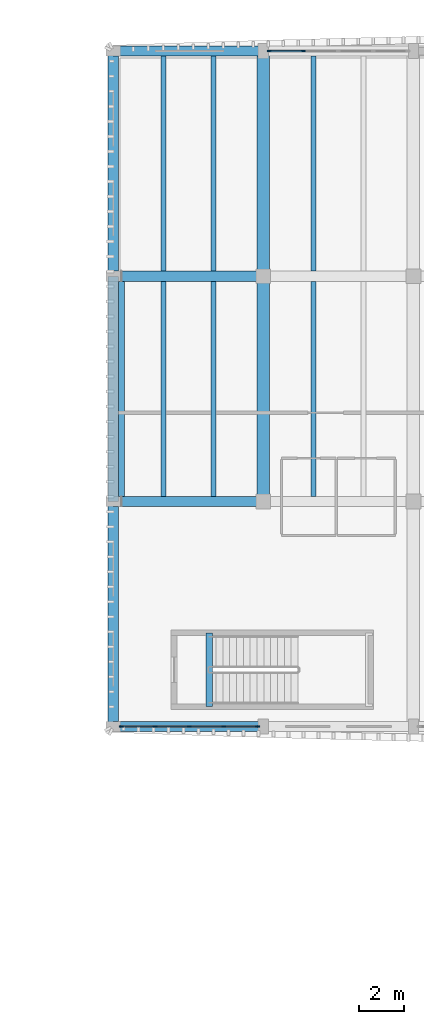
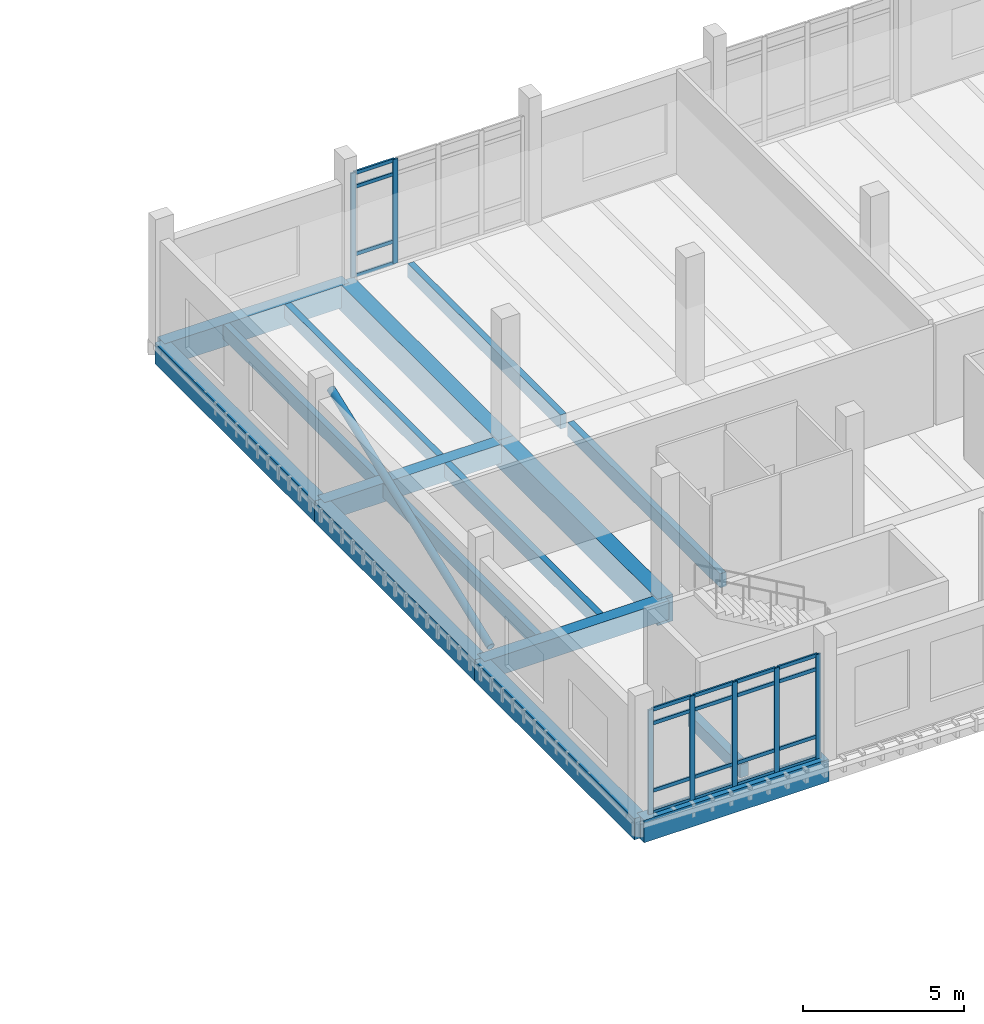
# One storey, part 11 of 50: 28 members, 16 beams, 2 elements without a shape of their own.
"""IFC4 building model written with IfcOpenShell, lengths in metres."""

from ifc_helpers import new_model, si_unit, direction, frame, origin, origin_2d, place, context, subcontext, project, spatial, rectangle, hollow_circle, extrude, material, material_profile, profile_set, type_object, element, aggregate, save


model = new_model("IFC4")

# Units and contexts
model_context = context("Model", 3, precision=1e-05, world=origin(), true_north=direction((0.0, 1.0)))
body_context = subcontext(model_context, "Body", "Model", "MODEL_VIEW")
ifc_project = project(units=[si_unit("LENGTHUNIT", "METRE"), si_unit("AREAUNIT", "SQUARE_METRE"), si_unit("VOLUMEUNIT", "CUBIC_METRE"), si_unit("PLANEANGLEUNIT", "RADIAN"), si_unit("MASSUNIT", "GRAM", prefix="KILO")], contexts=[model_context])

# Site, building, storey
site_placement = place(None, origin())
site = spatial("IfcSite", under=ifc_project, at=site_placement, CompositionType="ELEMENT")
building_placement = place(site_placement, origin())
building = spatial("IfcBuilding", under=site, at=building_placement, Name="Dornvale Research Institute", CompositionType="ELEMENT")
storey_placement = place(building_placement, frame((0.0, 0.0, 19.800048828125)))
storey = spatial("IfcBuildingStorey", under=building, at=storey_placement, Name="L04", CompositionType="ELEMENT", Elevation=19.800048828125)

# Beams
ifc_material_1 = material(Name="Concrete f'c 45 MPa (C35/45)", Category="concrete")
ifc_material_profile_1 = material_profile(ifc_material_1, rectangle(XDim=0.300048828125, YDim=0.5, at=origin_2d()), Name="RC 300x500")
ifc_profile_set_1 = profile_set([ifc_material_profile_1], Name="Concrete f'c 45 MPa (C35/45)")
beam_type_1 = type_object("IfcBeamType", Name="Beam_RC300x500_Trim", PredefinedType="BEAM", material=ifc_profile_set_1)
beam_1_placement = place(storey_placement, frame((123.02001953125, 93.280029296875, -0.25), z_axis=(0.0, 1.0, 0.0), x_axis=(-1.0, 0.0, 0.0)))
element("IfcBeam", 1, at=beam_1_placement, inside=storey, type_object=beam_type_1, Name="L04 ST-3 stair landing trimmer beam #51", PredefinedType="BEAM", context=body_context, shape_type="SweptSolid", body=[
    extrude(rectangle(XDim=0.300048828125, YDim=0.5, at=origin_2d()), origin(), (0.0, 0.0, 1.0), 3.239990234375),
])
ifc_material_2 = material(Name="Concrete f'c 45 MPa (C35/45)", Category="concrete")
ifc_material_profile_2 = material_profile(ifc_material_2, rectangle(XDim=0.449951171875, YDim=0.715087890625, at=origin_2d()), Name="RC 450x715")
ifc_profile_set_2 = profile_set([ifc_material_profile_2], Name="Concrete f'c 45 MPa (C35/45)")
beam_type_2 = type_object("IfcBeamType", Name="Beam_RC450x715_Lab", PredefinedType="BEAM", material=ifc_profile_set_2)
for number, where, z_axis, x_axis, name in (
    (2, (118.800048828125, 102.300048828125, -0.357666015625), (1.0, 0.0, 0.0), (0.0, 1.0, 0.0), "L04 primary girder #1181"),
    (3, (118.800048828125, 112.199951171875, -0.357666015625), (1.0, 0.0, 0.0), (0.0, 1.0, 0.0), "L04 primary girder #1190"),
):
    element("IfcBeam", number, at=place(storey_placement, frame(where, z_axis=z_axis, x_axis=x_axis)), inside=storey, type_object=beam_type_2, Name=name, PredefinedType="BEAM", context=body_context, shape_type="SweptSolid", body=[
        extrude(rectangle(XDim=0.449951171875, YDim=0.715087890625, at=origin_2d()), origin(), (0.0, 0.0, 1.0), 6.599853515625),
    ])
ifc_material_3 = material(Name="Concrete f'c 45 MPa (C35/45)", Category="concrete")
ifc_material_profile_3 = material_profile(ifc_material_3, rectangle(XDim=0.550048828125, YDim=1.0, at=origin_2d()), Name="RC 550x1000")
ifc_profile_set_3 = profile_set([ifc_material_profile_3], Name="Concrete f'c 45 MPa (C35/45)")
beam_type_3 = type_object("IfcBeamType", Name="Beam_RC550x1000_Girder", PredefinedType="BEAM", material=ifc_profile_set_3)
beam_2_placement = place(storey_placement, frame((125.39990234375, 102.300048828125, -0.5), z_axis=(0.0, 1.0, 0.0), x_axis=(-1.0, 0.0, 0.0)))
element("IfcBeam", 4, at=beam_2_placement, inside=storey, type_object=beam_type_3, Name="L04 transverse girder #1211", PredefinedType="BEAM", context=body_context, shape_type="SweptSolid", body=[
    extrude(rectangle(XDim=0.550048828125, YDim=1.0, at=origin_2d()), origin(), (0.0, 0.0, 1.0), 9.89990234375),
])
beam_3_placement = place(storey_placement, frame((125.39990234375, 112.199951171875, -0.5), z_axis=(0.0, 1.0, 0.0), x_axis=(-1.0, 0.0, 0.0)))
element("IfcBeam", 5, at=beam_3_placement, inside=storey, type_object=beam_type_3, Name="L04 transverse girder #1212", PredefinedType="BEAM", context=body_context, shape_type="SweptSolid", body=[
    extrude(rectangle(XDim=0.550048828125, YDim=1.0, at=origin_2d()), origin(), (0.0, 0.0, 1.0), 9.900146484375),
])

# Member
ifc_material_4 = material(Name="Steel ASTM A500 Grade C", Category="steel")
ifc_material_profile_4 = material_profile(ifc_material_4, hollow_circle(Radius=0.136474609375, WallThickness=0.01171875, at=origin_2d()), Name="HSS273X12.7")
ifc_profile_set_4 = profile_set([ifc_material_profile_4], Name="Steel ASTM A500 Grade C")
member_type_1 = type_object("IfcMemberType", Name="Brace_HSS273_Round", PredefinedType="BRACE", material=ifc_profile_set_4)
member_1_placement = place(storey_placement, frame((119.159912109375, 102.300048828125, 0.300048828125), z_axis=(0.0, 0.935158287794, 0.354230118385), x_axis=(-1.0, 0.0, 0.0)))
element("IfcMember", 6, at=member_1_placement, inside=storey, type_object=member_type_1, Name="L04 seismic diagonal brace #48", PredefinedType="BRACE", context=body_context, shape_type="SweptSolid", body=[
    extrude(hollow_circle(Radius=0.136474609375, WallThickness=0.01171875, at=origin_2d()), origin(), (0.0, 0.0, 1.0), 10.58642578125),
])

# Beams
ifc_material_5 = material(Name="Concrete f'c 45 MPa (C35/45)", Category="concrete")
ifc_material_profile_5 = material_profile(ifc_material_5, rectangle(XDim=0.219970703125, YDim=0.534912109375, at=origin_2d()), Name="RC 220x535")
ifc_profile_set_5 = profile_set([ifc_material_profile_5], Name="Concrete f'c 45 MPa (C35/45)")
beam_type_4 = type_object("IfcBeamType", Name="Joist_RC220x535_Waffle", PredefinedType="JOIST", material=ifc_profile_set_5)
for number, where, z_axis, x_axis, name in (
    (7, (121.0, 102.52490234375, -0.267578125), (0.0, 1.0, 0.0), (-1.0, 0.0, 0.0), "L04 laboratory waffle joist #586"),
    (8, (123.199951171875, 102.52490234375, -0.267578125), (0.0, 1.0, 0.0), (-1.0, 0.0, 0.0), "L04 laboratory waffle joist #587"),
):
    element("IfcBeam", number, at=place(storey_placement, frame(where, z_axis=z_axis, x_axis=x_axis)), inside=storey, type_object=beam_type_4, Name=name, PredefinedType="JOIST", context=body_context, shape_type="SweptSolid", body=[
        extrude(rectangle(XDim=0.219970703125, YDim=0.534912109375, at=origin_2d()), origin(), (0.0, 0.0, 1.0), 9.4501953125),
    ])
for number, where, z_axis, x_axis, name in (
    (9, (121.0, 112.425048828125, -0.267578125), (0.0, 1.0, 0.0), (-1.0, 0.0, 0.0), "L04 laboratory waffle joist #588"),
    (10, (123.199951171875, 112.425048828125, -0.267578125), (0.0, 1.0, 0.0), (-1.0, 0.0, 0.0), "L04 laboratory waffle joist #589"),
):
    element("IfcBeam", number, at=place(storey_placement, frame(where, z_axis=z_axis, x_axis=x_axis)), inside=storey, type_object=beam_type_4, Name=name, PredefinedType="JOIST", context=body_context, shape_type="SweptSolid", body=[
        extrude(rectangle(XDim=0.219970703125, YDim=0.534912109375, at=origin_2d()), origin(), (0.0, 0.0, 1.0), 9.449951171875),
    ])
beam_4_placement = place(storey_placement, frame((127.60009765625, 102.52490234375, -0.267578125), z_axis=(0.0, 1.0, 0.0), x_axis=(-1.0, 0.0, 0.0)))
element("IfcBeam", 11, at=beam_4_placement, inside=storey, type_object=beam_type_4, Name="L04 laboratory waffle joist #590", PredefinedType="JOIST", context=body_context, shape_type="SweptSolid", body=[
    extrude(rectangle(XDim=0.219970703125, YDim=0.534912109375, at=origin_2d()), origin(), (0.0, 0.0, 1.0), 9.4501953125),
])
beam_5_placement = place(storey_placement, frame((127.60009765625, 112.425048828125, -0.267578125), z_axis=(0.0, 1.0, 0.0), x_axis=(-1.0, 0.0, 0.0)))
element("IfcBeam", 12, at=beam_5_placement, inside=storey, type_object=beam_type_4, Name="L04 laboratory waffle joist #592", PredefinedType="JOIST", context=body_context, shape_type="SweptSolid", body=[
    extrude(rectangle(XDim=0.219970703125, YDim=0.534912109375, at=origin_2d()), origin(), (0.0, 0.0, 1.0), 9.449951171875),
])

# Curtain wall, members
ifc_material_6 = material(Name="Low-E Argon Double Insulating Glazing Unit", Category="glass")
curtain_wall_type_1 = type_object("IfcCurtainWallType", Name="UnitisedCurtainWall_V4_6150x3950", PredefinedType="USERDEFINED", material=ifc_material_6)
curtain_wall_1_placement = place(storey_placement, origin())
curtain_wall_1 = element("IfcCurtainWall", 13, at=curtain_wall_1_placement, inside=storey, type_object=curtain_wall_type_1, Name="L04 V4 unitised curtain wall CW-15 #100", ObjectType="UNITISED CURTAIN WALL", PredefinedType="USERDEFINED")
ifc_material_7 = material(Name="Anodized Aluminum AA 6063-T6 Thermally Broken Frame", Category="aluminium")
ifc_material_profile_6 = material_profile(ifc_material_7, rectangle(XDim=0.06494140625, YDim=0.179931640625, at=origin_2d()), Name="ALU MULLION 65x180")
ifc_profile_set_6 = profile_set([ifc_material_profile_6], Name="Anodized Aluminum AA 6063-T6 Thermally Broken Frame")
member_type_2 = type_object("IfcMemberType", Name="Mullion_CW_65x180", PredefinedType="MULLION", material=ifc_profile_set_6)
member_2_placement = place(storey_placement, frame((125.657470703125, 122.10009765625, 0.0), z_axis=(0.0, 0.0, 1.0), x_axis=(0.0, 1.0, 0.0)))
member_2 = element("IfcMember", 14, at=member_2_placement, type_object=member_type_2, Name="CW-15 mullion 1", PredefinedType="MULLION", context=body_context, shape_type="SweptSolid", body=[
    extrude(rectangle(XDim=0.06494140625, YDim=0.179931640625, at=origin_2d()), origin(), (0.0, 0.0, 1.0), 3.949951171875),
])
member_3_placement = place(storey_placement, frame((127.16259765625, 122.10009765625, 0.0), z_axis=(0.0, 0.0, 1.0), x_axis=(0.0, 1.0, 0.0)))
member_3 = element("IfcMember", 15, at=member_3_placement, type_object=member_type_2, Name="CW-15 mullion 2", PredefinedType="MULLION", context=body_context, shape_type="SweptSolid", body=[
    extrude(rectangle(XDim=0.06494140625, YDim=0.179931640625, at=origin_2d()), origin(), (0.0, 0.0, 1.0), 3.949951171875),
])

ifc_material_8 = material(Name="Low-E Argon Double Insulating Glazing Unit", Category="glass")
curtain_wall_type_2 = type_object("IfcCurtainWallType", Name="UnitisedCurtainWall_V4_6050x3950", PredefinedType="USERDEFINED", material=ifc_material_8)
curtain_wall_2_placement = place(storey_placement, origin())
curtain_wall_2 = element("IfcCurtainWall", 16, at=curtain_wall_2_placement, inside=storey, type_object=curtain_wall_type_2, Name="L04 V4 unitised curtain wall CW-18 #108", ObjectType="UNITISED CURTAIN WALL", PredefinedType="USERDEFINED")
member_4_placement = place(storey_placement, frame((125.142578125, 92.39990234375, 0.0), z_axis=(0.0, 0.0, 1.0), x_axis=(0.0, -1.0, 0.0)))
member_4 = element("IfcMember", 17, at=member_4_placement, type_object=member_type_2, Name="CW-18 mullion 1", PredefinedType="MULLION", context=body_context, shape_type="SweptSolid", body=[
    extrude(rectangle(XDim=0.06494140625, YDim=0.179931640625, at=origin_2d()), origin(), (0.0, 0.0, 1.0), 3.949951171875),
])
member_5_placement = place(storey_placement, frame((123.66259765625, 92.39990234375, 0.0), z_axis=(0.0, 0.0, 1.0), x_axis=(0.0, -1.0, 0.0)))
member_5 = element("IfcMember", 18, at=member_5_placement, type_object=member_type_2, Name="CW-18 mullion 2", PredefinedType="MULLION", context=body_context, shape_type="SweptSolid", body=[
    extrude(rectangle(XDim=0.06494140625, YDim=0.179931640625, at=origin_2d()), origin(), (0.0, 0.0, 1.0), 3.949951171875),
])
member_6_placement = place(storey_placement, frame((122.14990234375, 92.39990234375, 0.0), z_axis=(0.0, 0.0, 1.0), x_axis=(0.0, -1.0, 0.0)))
member_6 = element("IfcMember", 19, at=member_6_placement, type_object=member_type_2, Name="CW-18 mullion 3", PredefinedType="MULLION", context=body_context, shape_type="SweptSolid", body=[
    extrude(rectangle(XDim=0.06494140625, YDim=0.179931640625, at=origin_2d()), origin(), (0.0, 0.0, 1.0), 3.949951171875),
])
member_7_placement = place(storey_placement, frame((120.637451171875, 92.39990234375, 0.0), z_axis=(0.0, 0.0, 1.0), x_axis=(0.0, -1.0, 0.0)))
member_7 = element("IfcMember", 20, at=member_7_placement, type_object=member_type_2, Name="CW-18 mullion 4", PredefinedType="MULLION", context=body_context, shape_type="SweptSolid", body=[
    extrude(rectangle(XDim=0.06494140625, YDim=0.179931640625, at=origin_2d()), origin(), (0.0, 0.0, 1.0), 3.949951171875),
])
member_8_placement = place(storey_placement, frame((119.157470703125, 92.39990234375, 0.0), z_axis=(0.0, 0.0, 1.0), x_axis=(0.0, -1.0, 0.0)))
member_8 = element("IfcMember", 21, at=member_8_placement, type_object=member_type_2, Name="CW-18 mullion 5", PredefinedType="MULLION", context=body_context, shape_type="SweptSolid", body=[
    extrude(rectangle(XDim=0.06494140625, YDim=0.179931640625, at=origin_2d()), origin(), (0.0, 0.0, 1.0), 3.949951171875),
])

# Beams
ifc_material_9 = material(Name="Concrete f'c 45 MPa (C35/45)", Category="concrete")
ifc_material_profile_7 = material_profile(ifc_material_9, rectangle(XDim=0.449951171875, YDim=0.800048828125, at=origin_2d()), Name="RC 450x800")
ifc_profile_set_7 = profile_set([ifc_material_profile_7], Name="Concrete f'c 45 MPa (C35/45)")
beam_type_5 = type_object("IfcBeamType", Name="Spandrel_RC450x800_Ext", PredefinedType="SPANDREL", material=ifc_profile_set_7)
beam_6_placement = place(storey_placement, frame((118.800048828125, 92.39990234375, -0.400146484375), z_axis=(0.0, 1.0, 0.0), x_axis=(-1.0, 0.0, 0.0)))
element("IfcBeam", 22, at=beam_6_placement, inside=storey, type_object=beam_type_5, Name="L04 perimeter spandrel #1208", PredefinedType="SPANDREL", context=body_context, shape_type="SweptSolid", body=[
    extrude(rectangle(XDim=0.449951171875, YDim=0.800048828125, at=origin_2d()), origin(), (0.0, 0.0, 1.0), 9.900146484375),
])
beam_7_placement = place(storey_placement, frame((118.800048828125, 102.300048828125, -0.400146484375), z_axis=(0.0, 1.0, 0.0), x_axis=(-1.0, 0.0, 0.0)))
element("IfcBeam", 23, at=beam_7_placement, inside=storey, type_object=beam_type_5, Name="L04 perimeter spandrel #1209", PredefinedType="SPANDREL", context=body_context, shape_type="SweptSolid", body=[
    extrude(rectangle(XDim=0.449951171875, YDim=0.800048828125, at=origin_2d()), origin(), (0.0, 0.0, 1.0), 9.89990234375),
])
beam_8_placement = place(storey_placement, frame((118.800048828125, 112.199951171875, -0.400146484375), z_axis=(0.0, 1.0, 0.0), x_axis=(-1.0, 0.0, 0.0)))
element("IfcBeam", 24, at=beam_8_placement, inside=storey, type_object=beam_type_5, Name="L04 perimeter spandrel #1210", PredefinedType="SPANDREL", context=body_context, shape_type="SweptSolid", body=[
    extrude(rectangle(XDim=0.449951171875, YDim=0.800048828125, at=origin_2d()), origin(), (0.0, 0.0, 1.0), 9.900146484375),
])
ifc_material_10 = material(Name="Concrete f'c 45 MPa (C35/45)", Category="concrete")
ifc_material_profile_8 = material_profile(ifc_material_10, rectangle(XDim=0.449951171875, YDim=0.85009765625, at=origin_2d()), Name="RC 450x850")
ifc_profile_set_8 = profile_set([ifc_material_profile_8], Name="Concrete f'c 45 MPa (C35/45)")
beam_type_6 = type_object("IfcBeamType", Name="Spandrel_RC450x850_Ext", PredefinedType="SPANDREL", material=ifc_profile_set_8)
for number, where, z_axis, x_axis, name in (
    (25, (118.800048828125, 92.39990234375, -0.425048828125), (1.0, 0.0, 0.0), (0.0, 1.0, 0.0), "L04 perimeter spandrel #1172"),
    (26, (118.800048828125, 122.10009765625, -0.425048828125), (1.0, 0.0, 0.0), (0.0, 1.0, 0.0), "L04 perimeter spandrel #1199"),
):
    element("IfcBeam", number, at=place(storey_placement, frame(where, z_axis=z_axis, x_axis=x_axis)), inside=storey, type_object=beam_type_6, Name=name, PredefinedType="SPANDREL", context=body_context, shape_type="SweptSolid", body=[
        extrude(rectangle(XDim=0.449951171875, YDim=0.85009765625, at=origin_2d()), origin(), (0.0, 0.0, 1.0), 6.599853515625),
    ])

# Member
ifc_material_11 = material(Name="Anodized Aluminum AA 6063-T6 Thermally Broken Frame", Category="aluminium")
ifc_material_profile_9 = material_profile(ifc_material_11, rectangle(XDim=0.06494140625, YDim=0.135009765625, at=origin_2d()), Name="ALU TRANSOM 65x135")
ifc_profile_set_9 = profile_set([ifc_material_profile_9], Name="Anodized Aluminum AA 6063-T6 Thermally Broken Frame")
member_type_3 = type_object("IfcMemberType", Name="Transom_CW_65x135", PredefinedType="USERDEFINED", material=ifc_profile_set_9)
member_9_placement = place(storey_placement, frame((125.68994140625, 122.10009765625, 0.032470703125), z_axis=(1.0, 0.0, 0.0), x_axis=(0.0, 1.0, 0.0)))
member_9 = element("IfcMember", 27, at=member_9_placement, type_object=member_type_3, Name="CW-15 transom 1.1", ObjectType="TRANSOM", PredefinedType="USERDEFINED", context=body_context, shape_type="SweptSolid", body=[
    extrude(rectangle(XDim=0.06494140625, YDim=0.135009765625, at=origin_2d()), origin(), (0.0, 0.0, 1.0), 1.43994140625),
])

member_10_placement = place(storey_placement, frame((125.68994140625, 122.10009765625, 0.849853515625), z_axis=(1.0, 0.0, 0.0), x_axis=(0.0, 1.0, 0.0)))
member_10 = element("IfcMember", 28, at=member_10_placement, type_object=member_type_3, Name="CW-15 transom 1.2", ObjectType="TRANSOM", PredefinedType="USERDEFINED", context=body_context, shape_type="SweptSolid", body=[
    extrude(rectangle(XDim=0.06494140625, YDim=0.135009765625, at=origin_2d()), origin(), (0.0, 0.0, 1.0), 1.43994140625),
])

member_11_placement = place(storey_placement, frame((125.68994140625, 122.10009765625, 3.39990234375), z_axis=(1.0, 0.0, 0.0), x_axis=(0.0, 1.0, 0.0)))
member_11 = element("IfcMember", 29, at=member_11_placement, type_object=member_type_3, Name="CW-15 transom 1.3", ObjectType="TRANSOM", PredefinedType="USERDEFINED", context=body_context, shape_type="SweptSolid", body=[
    extrude(rectangle(XDim=0.06494140625, YDim=0.135009765625, at=origin_2d()), origin(), (0.0, 0.0, 1.0), 1.43994140625),
])

member_12_placement = place(storey_placement, frame((125.68994140625, 122.10009765625, 3.91748046875), z_axis=(1.0, 0.0, 0.0), x_axis=(0.0, 1.0, 0.0)))
member_12 = element("IfcMember", 30, at=member_12_placement, type_object=member_type_3, Name="CW-15 transom 1.4", ObjectType="TRANSOM", PredefinedType="USERDEFINED", context=body_context, shape_type="SweptSolid", body=[
    extrude(rectangle(XDim=0.06494140625, YDim=0.135009765625, at=origin_2d()), origin(), (0.0, 0.0, 1.0), 1.43994140625),
])

aggregate(curtain_wall_1, [member_2, member_3, member_9, member_10, member_11, member_12])

member_13_placement = place(storey_placement, frame((125.110107421875, 92.39990234375, 0.032470703125), z_axis=(-1.0, 0.0, 0.0), x_axis=(0.0, -1.0, 0.0)))
member_13 = element("IfcMember", 31, at=member_13_placement, type_object=member_type_3, Name="CW-18 transom 1.1", ObjectType="TRANSOM", PredefinedType="USERDEFINED", context=body_context, shape_type="SweptSolid", body=[
    extrude(rectangle(XDim=0.06494140625, YDim=0.135009765625, at=origin_2d()), origin(), (0.0, 0.0, 1.0), 1.4150390625),
])

member_14_placement = place(storey_placement, frame((125.110107421875, 92.39990234375, 0.849853515625), z_axis=(-1.0, 0.0, 0.0), x_axis=(0.0, -1.0, 0.0)))
member_14 = element("IfcMember", 32, at=member_14_placement, type_object=member_type_3, Name="CW-18 transom 1.2", ObjectType="TRANSOM", PredefinedType="USERDEFINED", context=body_context, shape_type="SweptSolid", body=[
    extrude(rectangle(XDim=0.06494140625, YDim=0.135009765625, at=origin_2d()), origin(), (0.0, 0.0, 1.0), 1.4150390625),
])

member_15_placement = place(storey_placement, frame((125.110107421875, 92.39990234375, 3.39990234375), z_axis=(-1.0, 0.0, 0.0), x_axis=(0.0, -1.0, 0.0)))
member_15 = element("IfcMember", 33, at=member_15_placement, type_object=member_type_3, Name="CW-18 transom 1.3", ObjectType="TRANSOM", PredefinedType="USERDEFINED", context=body_context, shape_type="SweptSolid", body=[
    extrude(rectangle(XDim=0.06494140625, YDim=0.135009765625, at=origin_2d()), origin(), (0.0, 0.0, 1.0), 1.4150390625),
])

member_16_placement = place(storey_placement, frame((125.110107421875, 92.39990234375, 3.91748046875), z_axis=(-1.0, 0.0, 0.0), x_axis=(0.0, -1.0, 0.0)))
member_16 = element("IfcMember", 34, at=member_16_placement, type_object=member_type_3, Name="CW-18 transom 1.4", ObjectType="TRANSOM", PredefinedType="USERDEFINED", context=body_context, shape_type="SweptSolid", body=[
    extrude(rectangle(XDim=0.06494140625, YDim=0.135009765625, at=origin_2d()), origin(), (0.0, 0.0, 1.0), 1.4150390625),
])

member_17_placement = place(storey_placement, frame((123.6298828125, 92.39990234375, 0.032470703125), z_axis=(-1.0, 0.0, 0.0), x_axis=(0.0, -1.0, 0.0)))
member_17 = element("IfcMember", 35, at=member_17_placement, type_object=member_type_3, Name="CW-18 transom 2.1", ObjectType="TRANSOM", PredefinedType="USERDEFINED", context=body_context, shape_type="SweptSolid", body=[
    extrude(rectangle(XDim=0.06494140625, YDim=0.135009765625, at=origin_2d()), origin(), (0.0, 0.0, 1.0), 1.447265625),
])

member_18_placement = place(storey_placement, frame((123.6298828125, 92.39990234375, 0.849853515625), z_axis=(-1.0, 0.0, 0.0), x_axis=(0.0, -1.0, 0.0)))
member_18 = element("IfcMember", 36, at=member_18_placement, type_object=member_type_3, Name="CW-18 transom 2.2", ObjectType="TRANSOM", PredefinedType="USERDEFINED", context=body_context, shape_type="SweptSolid", body=[
    extrude(rectangle(XDim=0.06494140625, YDim=0.135009765625, at=origin_2d()), origin(), (0.0, 0.0, 1.0), 1.447265625),
])

member_19_placement = place(storey_placement, frame((123.6298828125, 92.39990234375, 3.39990234375), z_axis=(-1.0, 0.0, 0.0), x_axis=(0.0, -1.0, 0.0)))
member_19 = element("IfcMember", 37, at=member_19_placement, type_object=member_type_3, Name="CW-18 transom 2.3", ObjectType="TRANSOM", PredefinedType="USERDEFINED", context=body_context, shape_type="SweptSolid", body=[
    extrude(rectangle(XDim=0.06494140625, YDim=0.135009765625, at=origin_2d()), origin(), (0.0, 0.0, 1.0), 1.447265625),
])

member_20_placement = place(storey_placement, frame((123.6298828125, 92.39990234375, 3.91748046875), z_axis=(-1.0, 0.0, 0.0), x_axis=(0.0, -1.0, 0.0)))
member_20 = element("IfcMember", 38, at=member_20_placement, type_object=member_type_3, Name="CW-18 transom 2.4", ObjectType="TRANSOM", PredefinedType="USERDEFINED", context=body_context, shape_type="SweptSolid", body=[
    extrude(rectangle(XDim=0.06494140625, YDim=0.135009765625, at=origin_2d()), origin(), (0.0, 0.0, 1.0), 1.447265625),
])

member_21_placement = place(storey_placement, frame((122.117431640625, 92.39990234375, 0.032470703125), z_axis=(-1.0, 0.0, 0.0), x_axis=(0.0, -1.0, 0.0)))
member_21 = element("IfcMember", 39, at=member_21_placement, type_object=member_type_3, Name="CW-18 transom 3.1", ObjectType="TRANSOM", PredefinedType="USERDEFINED", context=body_context, shape_type="SweptSolid", body=[
    extrude(rectangle(XDim=0.06494140625, YDim=0.135009765625, at=origin_2d()), origin(), (0.0, 0.0, 1.0), 1.447509765625),
])

member_22_placement = place(storey_placement, frame((122.117431640625, 92.39990234375, 0.849853515625), z_axis=(-1.0, 0.0, 0.0), x_axis=(0.0, -1.0, 0.0)))
member_22 = element("IfcMember", 40, at=member_22_placement, type_object=member_type_3, Name="CW-18 transom 3.2", ObjectType="TRANSOM", PredefinedType="USERDEFINED", context=body_context, shape_type="SweptSolid", body=[
    extrude(rectangle(XDim=0.06494140625, YDim=0.135009765625, at=origin_2d()), origin(), (0.0, 0.0, 1.0), 1.447509765625),
])

member_23_placement = place(storey_placement, frame((122.117431640625, 92.39990234375, 3.39990234375), z_axis=(-1.0, 0.0, 0.0), x_axis=(0.0, -1.0, 0.0)))
member_23 = element("IfcMember", 41, at=member_23_placement, type_object=member_type_3, Name="CW-18 transom 3.3", ObjectType="TRANSOM", PredefinedType="USERDEFINED", context=body_context, shape_type="SweptSolid", body=[
    extrude(rectangle(XDim=0.06494140625, YDim=0.135009765625, at=origin_2d()), origin(), (0.0, 0.0, 1.0), 1.447509765625),
])

member_24_placement = place(storey_placement, frame((122.117431640625, 92.39990234375, 3.91748046875), z_axis=(-1.0, 0.0, 0.0), x_axis=(0.0, -1.0, 0.0)))
member_24 = element("IfcMember", 42, at=member_24_placement, type_object=member_type_3, Name="CW-18 transom 3.4", ObjectType="TRANSOM", PredefinedType="USERDEFINED", context=body_context, shape_type="SweptSolid", body=[
    extrude(rectangle(XDim=0.06494140625, YDim=0.135009765625, at=origin_2d()), origin(), (0.0, 0.0, 1.0), 1.447509765625),
])

member_25_placement = place(storey_placement, frame((120.60498046875, 92.39990234375, 0.032470703125), z_axis=(-1.0, 0.0, 0.0), x_axis=(0.0, -1.0, 0.0)))
member_25 = element("IfcMember", 43, at=member_25_placement, type_object=member_type_3, Name="CW-18 transom 4.1", ObjectType="TRANSOM", PredefinedType="USERDEFINED", context=body_context, shape_type="SweptSolid", body=[
    extrude(rectangle(XDim=0.06494140625, YDim=0.135009765625, at=origin_2d()), origin(), (0.0, 0.0, 1.0), 1.4150390625),
])

member_26_placement = place(storey_placement, frame((120.60498046875, 92.39990234375, 0.849853515625), z_axis=(-1.0, 0.0, 0.0), x_axis=(0.0, -1.0, 0.0)))
member_26 = element("IfcMember", 44, at=member_26_placement, type_object=member_type_3, Name="CW-18 transom 4.2", ObjectType="TRANSOM", PredefinedType="USERDEFINED", context=body_context, shape_type="SweptSolid", body=[
    extrude(rectangle(XDim=0.06494140625, YDim=0.135009765625, at=origin_2d()), origin(), (0.0, 0.0, 1.0), 1.4150390625),
])

member_27_placement = place(storey_placement, frame((120.60498046875, 92.39990234375, 3.39990234375), z_axis=(-1.0, 0.0, 0.0), x_axis=(0.0, -1.0, 0.0)))
member_27 = element("IfcMember", 45, at=member_27_placement, type_object=member_type_3, Name="CW-18 transom 4.3", ObjectType="TRANSOM", PredefinedType="USERDEFINED", context=body_context, shape_type="SweptSolid", body=[
    extrude(rectangle(XDim=0.06494140625, YDim=0.135009765625, at=origin_2d()), origin(), (0.0, 0.0, 1.0), 1.4150390625),
])

member_28_placement = place(storey_placement, frame((120.60498046875, 92.39990234375, 3.91748046875), z_axis=(-1.0, 0.0, 0.0), x_axis=(0.0, -1.0, 0.0)))
member_28 = element("IfcMember", 46, at=member_28_placement, type_object=member_type_3, Name="CW-18 transom 4.4", ObjectType="TRANSOM", PredefinedType="USERDEFINED", context=body_context, shape_type="SweptSolid", body=[
    extrude(rectangle(XDim=0.06494140625, YDim=0.135009765625, at=origin_2d()), origin(), (0.0, 0.0, 1.0), 1.4150390625),
])

aggregate(curtain_wall_2, [member_4, member_5, member_6, member_7, member_8, member_13, member_14, member_15, member_16, member_17, member_18, member_19, member_20, member_21, member_22, member_23, member_24, member_25, member_26, member_27, member_28])

save(model, "model.ifc")
